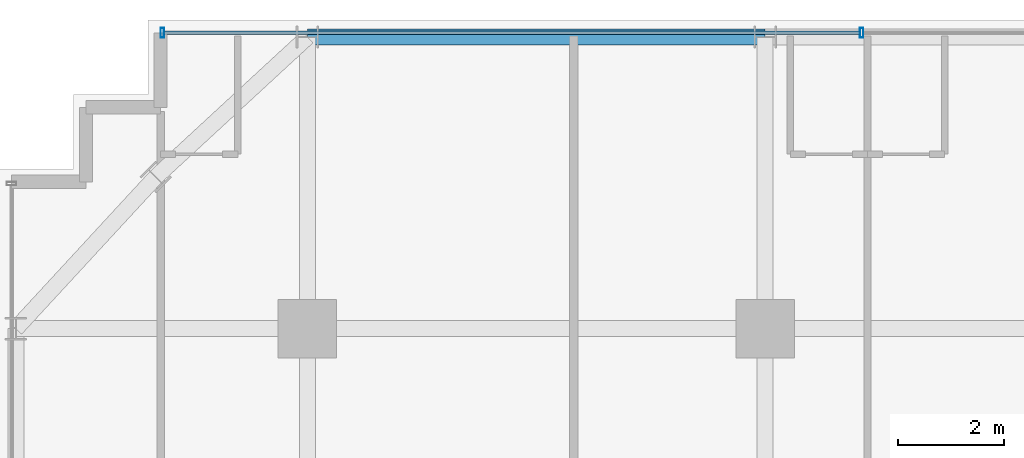
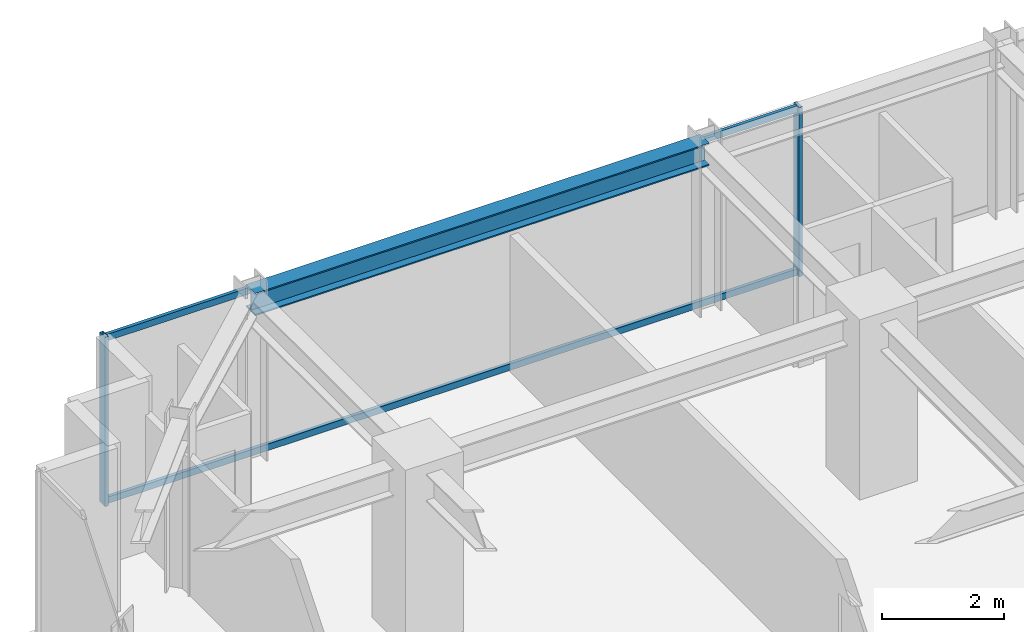
# One storey, part 20 of 31: 4 members, 1 beam, 1 element without a shape of its own.
"""IFC4 building model written with IfcOpenShell, lengths in metres."""

from ifc_helpers import new_model, si_unit, direction, frame, origin, origin_2d, place, context, subcontext, project, spatial, hollow_rectangle, i_section, extrude, source, transform, mapped, material, material_profile, profile_set, type_object, element, aggregate, save


model = new_model("IFC4")

# Units and contexts
model_context = context("Model", 3, precision=1e-05, world=origin(), true_north=direction((0.0, 1.0)))
body_context = subcontext(model_context, "Body", "Model", "MODEL_VIEW")
ifc_project = project(units=[si_unit("LENGTHUNIT", "METRE"), si_unit("AREAUNIT", "SQUARE_METRE"), si_unit("VOLUMEUNIT", "CUBIC_METRE"), si_unit("PLANEANGLEUNIT", "RADIAN"), si_unit("MASSUNIT", "GRAM", prefix="KILO")], contexts=[model_context])

# Site, building, storey
site_placement = place(None, origin())
site = spatial("IfcSite", under=ifc_project, at=site_placement, CompositionType="ELEMENT")
building_placement = place(site_placement, origin())
building = spatial("IfcBuilding", under=site, at=building_placement, Name="Nahalor Promenade Grand Hotel", CompositionType="ELEMENT")
storey_placement = place(building_placement, frame((0.0, 0.0, 156.300048828125)))
storey = spatial("IfcBuildingStorey", under=building, at=storey_placement, Name="L39", CompositionType="ELEMENT", Elevation=156.300048828125)

# Beam
ifc_material_1 = material(Name="Steel S355JR", Category="steel")
ifc_material_profile_1 = material_profile(ifc_material_1, i_section(OverallWidth=0.3, OverallDepth=0.45, WebThickness=0.014, FlangeThickness=0.026, at=origin_2d()), Name="HEB 450")
ifc_profile_set_1 = profile_set([ifc_material_profile_1], Name="Steel S355JR")
beam_type = type_object("IfcBeamType", Name="Beam-Spandrel-HEB450", PredefinedType="SPANDREL", material=ifc_profile_set_1)
shared_shape_1 = source(origin(), body_context, "Body", "SweptSolid", [
    extrude(i_section(OverallWidth=0.3, OverallDepth=0.45, WebThickness=0.014, FlangeThickness=0.026, at=origin_2d()), origin(), (0.0, 0.0, 1.0), 8.60009765625),
])
beam_placement = place(storey_placement, frame((-17.0, 22.47998046875, 3.1650390625), z_axis=(1.0, 0.0, 0.0), x_axis=(0.0, 1.0, 0.0)))
element("IfcBeam", 1, at=beam_placement, inside=storey, type_object=beam_type, Name="BM-L39-SP-N-0", PredefinedType="SPANDREL", context=body_context, shape_type="MappedRepresentation", body=[
    mapped(shared_shape_1, transform((0.0, 0.0, 0.0), scale=1.0)),
])

# Curtain wall, members
ifc_material_2 = material(Name="Anodised Bronze Aluminium EN AW-6063 T6", Category="aluminium")
curtain_wall_type = type_object("IfcCurtainWallType", Name="CW2 Typical Hotel Flush Bronze Unitised Curtain Wall", PredefinedType="USERDEFINED", material=ifc_material_2)
curtain_wall_placement = place(storey_placement, origin())
curtain_wall = element("IfcCurtainWall", 2, at=curtain_wall_placement, inside=storey, type_object=curtain_wall_type, Name="L39 Curtain Wall CW-L39-N-1", ObjectType="UNITISED_CURTAIN_WALL", PredefinedType="USERDEFINED")
ifc_material_profile_2 = material_profile(ifc_material_2, hollow_rectangle(XDim=0.065, YDim=0.18, WallThickness=0.004, at=origin_2d()), Name="CWM 65x180x4")
ifc_profile_set_2 = profile_set([ifc_material_profile_2], Name="Anodised Bronze Aluminium EN AW-6063 T6")
member_type_1 = type_object("IfcMemberType", Name="CWM2 Typical Bronze Mullion 65x180", PredefinedType="MULLION", material=ifc_profile_set_2)
shared_shape_2 = source(origin(), body_context, "Body", "SweptSolid", [
    extrude(hollow_rectangle(XDim=0.065, YDim=0.18, WallThickness=0.004, at=origin_2d()), origin(), (0.0, 0.0, 1.0), 3.389892578125),
])
member_1_placement = place(storey_placement, frame((-19.7275390625, 22.56005859375, 0.0), z_axis=(0.0, 0.0, 1.0), x_axis=(1.0, 0.0, 0.0)))
member_1 = element("IfcMember", 3, at=member_1_placement, type_object=member_type_1, Name="CW-L39-N-1 Mullion 0", PredefinedType="MULLION", context=body_context, shape_type="MappedRepresentation", body=[
    mapped(shared_shape_2, transform((0.0, 0.0, 0.0), scale=1.0)),
])
member_2_placement = place(storey_placement, frame((-6.586669921875, 22.56005859375, 0.0), z_axis=(0.0, 0.0, 1.0), x_axis=(1.0, 0.0, 0.0)))
member_2 = element("IfcMember", 4, at=member_2_placement, type_object=member_type_1, Name="CW-L39-N-1 Mullion 1", PredefinedType="MULLION", context=body_context, shape_type="MappedRepresentation", body=[
    mapped(shared_shape_2, transform((0.0, 0.0, 0.0), scale=1.0)),
])
ifc_material_profile_3 = material_profile(ifc_material_2, hollow_rectangle(XDim=0.065, YDim=0.13, WallThickness=0.004, at=origin_2d()), Name="CWT 65x130x4")
ifc_profile_set_3 = profile_set([ifc_material_profile_3], Name="Anodised Bronze Aluminium EN AW-6063 T6")
member_type_2 = type_object("IfcMemberType", Name="CWT2 Typical Bronze Transom 65x130", PredefinedType="USERDEFINED", material=ifc_profile_set_3)
shared_shape_3 = source(origin(), body_context, "Body", "SweptSolid", [
    extrude(hollow_rectangle(XDim=0.065, YDim=0.13, WallThickness=0.004, at=origin_2d()), origin(), (0.0, 0.0, 1.0), 13.075927734375),
])
member_3_placement = place(storey_placement, frame((-19.695068359375, 22.56005859375, 0.06494140625), z_axis=(1.0, 0.0, 0.0), x_axis=(0.0, 1.0, 0.0)))
member_3 = element("IfcMember", 5, at=member_3_placement, type_object=member_type_2, Name="CW-L39-N-1 Transom 0-0", ObjectType="TRANSOM", PredefinedType="USERDEFINED", context=body_context, shape_type="MappedRepresentation", body=[
    mapped(shared_shape_3, transform((0.0, 0.0, 0.0), scale=1.0)),
])
member_4_placement = place(storey_placement, frame((-19.695068359375, 22.56005859375, 3.324951171875), z_axis=(1.0, 0.0, 0.0), x_axis=(0.0, 1.0, 0.0)))
member_4 = element("IfcMember", 6, at=member_4_placement, type_object=member_type_2, Name="CW-L39-N-1 Transom 0-1", ObjectType="TRANSOM", PredefinedType="USERDEFINED", context=body_context, shape_type="MappedRepresentation", body=[
    mapped(shared_shape_3, transform((0.0, 0.0, 0.0), scale=1.0)),
])
aggregate(curtain_wall, [member_1, member_2, member_3, member_4])

save(model, "model.ifc")
